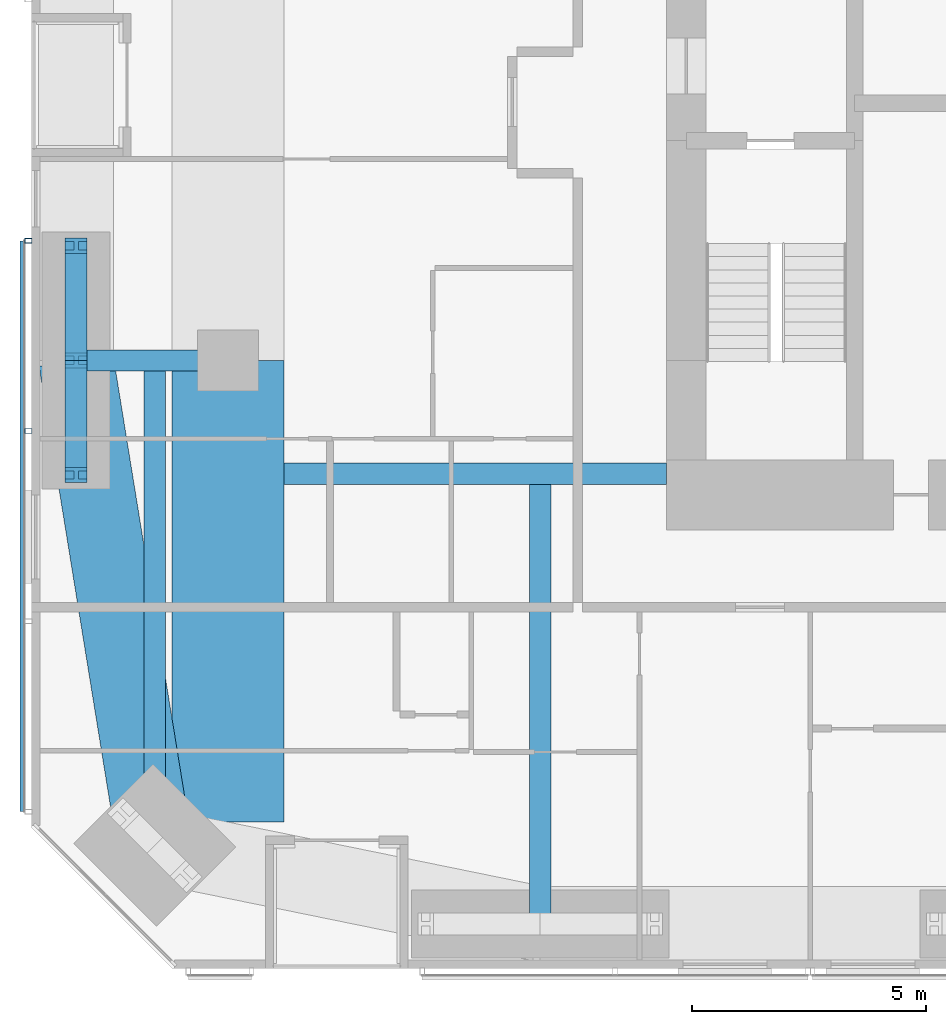
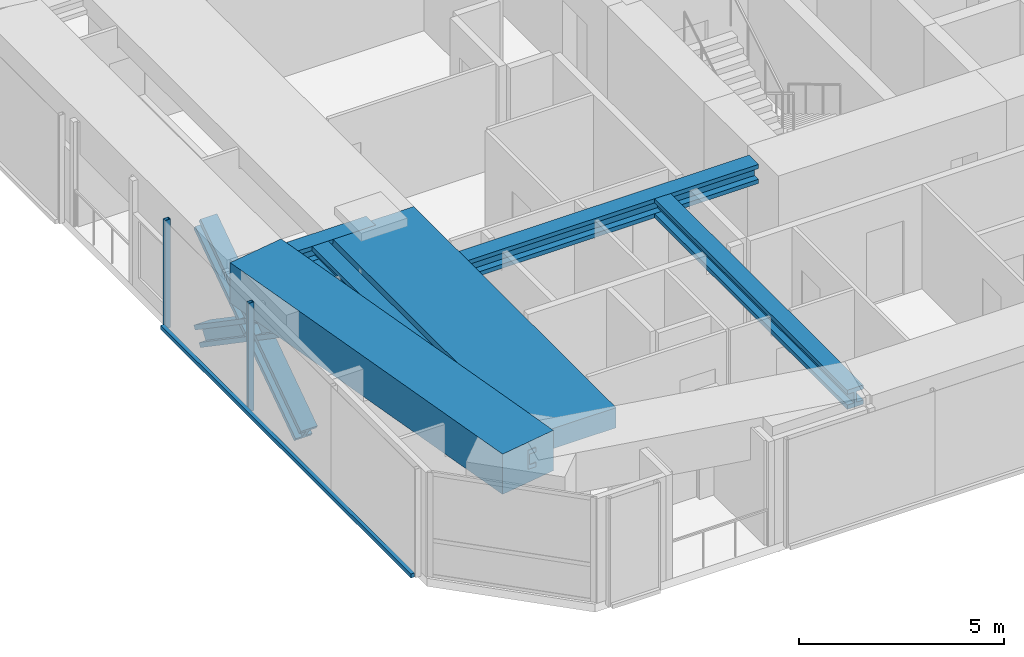
# One storey, part 3 of 23: 7 members, 6 beams, 1 element without a shape of its own.
"""IFC4 building model written with IfcOpenShell, lengths in metres."""

from ifc_helpers import new_model, si_unit, direction, frame, origin, origin_2d, place, context, subcontext, project, spatial, rectangle, hollow_rectangle, i_section, extrude, material, material_profile, profile_set, type_object, element, aggregate, save


model = new_model("IFC4")

# Units and contexts
model_context = context("Model", 3, precision=1e-05, world=origin(), true_north=direction((0.0, 1.0)))
body_context = subcontext(model_context, "Body", "Model", "MODEL_VIEW")
ifc_project = project(units=[si_unit("LENGTHUNIT", "METRE"), si_unit("AREAUNIT", "SQUARE_METRE"), si_unit("VOLUMEUNIT", "CUBIC_METRE"), si_unit("PLANEANGLEUNIT", "RADIAN"), si_unit("MASSUNIT", "GRAM", prefix="KILO")], contexts=[model_context])

# Site, building, storey
site_placement = place(None, origin())
site = spatial("IfcSite", under=ifc_project, at=site_placement, CompositionType="ELEMENT")
building_placement = place(site_placement, origin())
building = spatial("IfcBuilding", under=site, at=building_placement, Name="Jalousie Tower", CompositionType="ELEMENT")
storey_placement = place(building_placement, frame((0.0, 0.0, 121.60009765625)))
storey = spatial("IfcBuildingStorey", under=building, at=storey_placement, Name="L33", CompositionType="ELEMENT", Elevation=121.60009765625)

# Beams
ifc_material_1 = material(Name="Steel ASTM A992 Grade 50", Category="steel")
ifc_material_profile_1 = material_profile(ifc_material_1, i_section(OverallWidth=0.45458984375, OverallDepth=0.569091796875, WebThickness=0.077880859375, FlangeThickness=0.124755859375, at=origin_2d()), Name="W14X730")
ifc_profile_set_1 = profile_set([ifc_material_profile_1], Name="Steel ASTM A992 Grade 50")
beam_type_1 = type_object("IfcBeamType", Name="LEAN COLLECTOR W14X730", PredefinedType="BEAM", material=ifc_profile_set_1)
beam_1_placement = place(storey_placement, frame((6.949951171875, 13.0, 2.825439453125), z_axis=(1.0, 0.0, 0.0), x_axis=(0.0, 1.0, 0.0)))
element("IfcBeam", 1, at=beam_1_placement, inside=storey, type_object=beam_type_1, Name="Lean collector under L34", PredefinedType="BEAM", context=body_context, shape_type="SweptSolid", body=[
    extrude(i_section(OverallWidth=0.45458984375, OverallDepth=0.569091796875, WebThickness=0.077880859375, FlangeThickness=0.124755859375, at=origin_2d()), origin(), (0.0, 0.0, 1.0), 3.25),
])
beam_2_placement = place(storey_placement, frame((11.39990234375, 10.574951171875, 2.825439453125), z_axis=(1.0, 0.0, 0.0), x_axis=(0.0, 1.0, 0.0)))
element("IfcBeam", 2, at=beam_2_placement, inside=storey, type_object=beam_type_1, Name="Lean collector under L34", PredefinedType="BEAM", context=body_context, shape_type="SweptSolid", body=[
    extrude(i_section(OverallWidth=0.45458984375, OverallDepth=0.569091796875, WebThickness=0.077880859375, FlangeThickness=0.124755859375, at=origin_2d()), origin(), (0.0, 0.0, 1.0), 8.175048828125),
])
beam_3_placement = place(storey_placement, frame((8.63134765625, 2.63134765625, 2.825439453125), z_axis=(0.0, 1.0, 0.0), x_axis=(-1.0, 0.0, 0.0)))
element("IfcBeam", 3, at=beam_3_placement, inside=storey, type_object=beam_type_1, Name="Lean collector under L34", PredefinedType="BEAM", context=body_context, shape_type="SweptSolid", body=[
    extrude(i_section(OverallWidth=0.45458984375, OverallDepth=0.569091796875, WebThickness=0.077880859375, FlangeThickness=0.124755859375, at=origin_2d()), origin(), (0.0, 0.0, 1.0), 10.36865234375),
])
beam_4_placement = place(storey_placement, frame((16.875, 0.949951171875, 2.825439453125), z_axis=(0.0, 1.0, 0.0), x_axis=(-1.0, 0.0, 0.0)))
element("IfcBeam", 4, at=beam_4_placement, inside=storey, type_object=beam_type_1, Name="Lean collector under L34", PredefinedType="BEAM", context=body_context, shape_type="SweptSolid", body=[
    extrude(i_section(OverallWidth=0.45458984375, OverallDepth=0.569091796875, WebThickness=0.077880859375, FlangeThickness=0.124755859375, at=origin_2d()), origin(), (0.0, 0.0, 1.0), 9.625),
])

# Members
ifc_material_2 = material(Name="Steel ASTM A992 Grade 50", Category="steel")
ifc_material_profile_2 = material_profile(ifc_material_2, i_section(OverallWidth=0.472412109375, OverallDepth=0.5791015625, WebThickness=0.094970703125, FlangeThickness=0.1298828125, at=origin_2d()), Name="W14X808")
ifc_profile_set_2 = profile_set([ifc_material_profile_2], Name="Steel ASTM A992 Grade 50")
member_type_1 = type_object("IfcMemberType", Name="PERIMETER BRACE W14X808", PredefinedType="BRACE", material=ifc_profile_set_2)
for number, where, z_axis, x_axis, name in (
    (5, (6.949951171875, 10.550048828125, -0.60009765625), (0.0, 0.825500916831, 0.564400776321), (-1.0, 0.0, 0.0), "Perimeter brace 14 L33 part 1"),
    (6, (6.949951171875, 13.0, 1.074951171875), (0.0, 0.825500916831, 0.564400776321), (-1.0, 0.0, 0.0), "Perimeter brace 14 L33 part 2"),
    (7, (6.949951171875, 15.449951171875, -0.60009765625), (0.0, -0.825500916831, 0.564400776321), (1.0, 0.0, 0.0), "Perimeter brace 14 L33 part 3"),
    (8, (6.949951171875, 13.0, 1.074951171875), (0.0, -0.825500916831, 0.564400776321), (1.0, 0.0, 0.0), "Perimeter brace 14 L33 part 4"),
):
    element("IfcMember", number, at=place(storey_placement, frame(where, z_axis=z_axis, x_axis=x_axis)), inside=storey, type_object=member_type_1, Name=name, PredefinedType="BRACE", context=body_context, shape_type="SweptSolid", body=[
        extrude(i_section(OverallWidth=0.472412109375, OverallDepth=0.5791015625, WebThickness=0.094970703125, FlangeThickness=0.1298828125, at=origin_2d()), origin(), (0.0, 0.0, 1.0), 2.9677734375),
    ])

# Beams
ifc_material_3 = material(Name="Concrete f'c 40 MPa", Category="concrete")
ifc_material_profile_3 = material_profile(ifc_material_3, rectangle(XDim=1.60009765625, YDim=1.199951171875, at=origin_2d()), Name="RC 1600x1200")
ifc_profile_set_3 = profile_set([ifc_material_profile_3], Name="Concrete f'c 40 MPa")
beam_type_2 = type_object("IfcBeamType", Name="RC BEAM 1600x1200", PredefinedType="BEAM", material=ifc_profile_set_3)
beam_5_placement = place(storey_placement, frame((6.949951171875, 13.0, 2.75), z_axis=(0.160070546476, -0.987105577003, 0.0), x_axis=(0.987105577003, 0.160070546476, 0.0)))
element("IfcBeam", 9, at=beam_5_placement, inside=storey, type_object=beam_type_2, Name="Edge band beam 14-01 under L34", PredefinedType="BEAM", context=body_context, shape_type="SweptSolid", body=[
    extrude(rectangle(XDim=1.60009765625, YDim=1.199951171875, at=origin_2d()), origin(), (0.0, 0.0, 1.0), 10.504150390625),
])
ifc_material_4 = material(Name="Concrete f'c 40 MPa", Category="concrete")
ifc_material_profile_4 = material_profile(ifc_material_4, rectangle(XDim=2.39990234375, YDim=0.60009765625, at=origin_2d()), Name="RC 2400x600")
ifc_profile_set_4 = profile_set([ifc_material_profile_4], Name="Concrete f'c 40 MPa")
beam_type_3 = type_object("IfcBeamType", Name="RC BEAM 2400x600", PredefinedType="BEAM", material=ifc_profile_set_4)
beam_6_placement = place(storey_placement, frame((10.199951171875, 13.0, 2.809814453125), z_axis=(0.0, -1.0, 0.0), x_axis=(1.0, 0.0, 0.0)))
element("IfcBeam", 10, at=beam_6_placement, inside=storey, type_object=beam_type_3, Name="Floor band beam under L34", PredefinedType="BEAM", context=body_context, shape_type="SweptSolid", body=[
    extrude(rectangle(XDim=2.39990234375, YDim=0.60009765625, at=origin_2d()), origin(), (0.0, 0.0, 1.0), 9.8720703125),
])

# Curtain wall, members
ifc_material_5 = material(Name="Perforated aluminium sheet", Category="aluminium")
curtain_wall_type = type_object("IfcCurtainWallType", Name="SOLAR SCREEN SS-1", PredefinedType="USERDEFINED", material=ifc_material_5)
curtain_wall_placement = place(storey_placement, origin())
curtain_wall = element("IfcCurtainWall", 11, at=curtain_wall_placement, inside=storey, type_object=curtain_wall_type, Name="Solar screen L33", ObjectType="SOLAR SCREEN SS-1", PredefinedType="USERDEFINED")
ifc_material_6 = material(Name="Steel ASTM A500 Grade C", Category="steel")
ifc_material_profile_5 = material_profile(ifc_material_6, hollow_rectangle(XDim=0.1015625, YDim=0.15234375, WallThickness=0.00634765625, at=origin_2d()), Name="HSS6X4X1/4")
ifc_profile_set_5 = profile_set([ifc_material_profile_5], Name="Steel ASTM A500 Grade C")
member_type_2 = type_object("IfcMemberType", Name="SOLAR SCREEN SS-1 MULLION", PredefinedType="MULLION", material=ifc_profile_set_5)
member_1_placement = place(storey_placement, frame((5.9287109375, 15.55810546875, -0.1201171875), z_axis=(0.0, 0.0, 1.0), x_axis=(0.0, -1.0, 0.0)))
member_1 = element("IfcMember", 12, at=member_1_placement, type_object=member_type_2, Name="SS1 post 1", PredefinedType="MULLION", context=body_context, shape_type="SweptSolid", body=[
    extrude(hollow_rectangle(XDim=0.1015625, YDim=0.15234375, WallThickness=0.00634765625, at=origin_2d()), origin(), (0.0, 0.0, 1.0), 3.22998046875),
])
member_2_placement = place(storey_placement, frame((5.9287109375, 11.4892578125, -0.1201171875), z_axis=(0.0, 0.0, 1.0), x_axis=(0.0, -1.0, 0.0)))
member_2 = element("IfcMember", 13, at=member_2_placement, type_object=member_type_2, Name="SS1 post 2", PredefinedType="MULLION", context=body_context, shape_type="SweptSolid", body=[
    extrude(hollow_rectangle(XDim=0.1015625, YDim=0.15234375, WallThickness=0.00634765625, at=origin_2d()), origin(), (0.0, 0.0, 1.0), 3.22998046875),
])
ifc_material_7 = material(Name="Extruded aluminium screen rail", Category="aluminium")
ifc_material_profile_6 = material_profile(ifc_material_7, rectangle(XDim=0.1015625, YDim=0.1201171875, at=origin_2d()), Name="RAIL 102x120")
ifc_profile_set_6 = profile_set([ifc_material_profile_6], Name="Extruded aluminium screen rail")
member_type_3 = type_object("IfcMemberType", Name="SOLAR SCREEN SS-1 TRANSOM", PredefinedType="USERDEFINED", material=ifc_profile_set_6)
member_3_placement = place(storey_placement, frame((5.8017578125, 15.55810546875, -0.06005859375), z_axis=(0.0, -1.0, 0.0), x_axis=(1.0, 0.0, 0.0)))
member_3 = element("IfcMember", 14, at=member_3_placement, type_object=member_type_3, Name="SS1 rail", ObjectType="TRANSOM", PredefinedType="USERDEFINED", context=body_context, shape_type="SweptSolid", body=[
    extrude(rectangle(XDim=0.1015625, YDim=0.1201171875, at=origin_2d()), origin(), (0.0, 0.0, 1.0), 12.206787109375),
])
aggregate(curtain_wall, [member_1, member_2, member_3])

save(model, "model.ifc")
